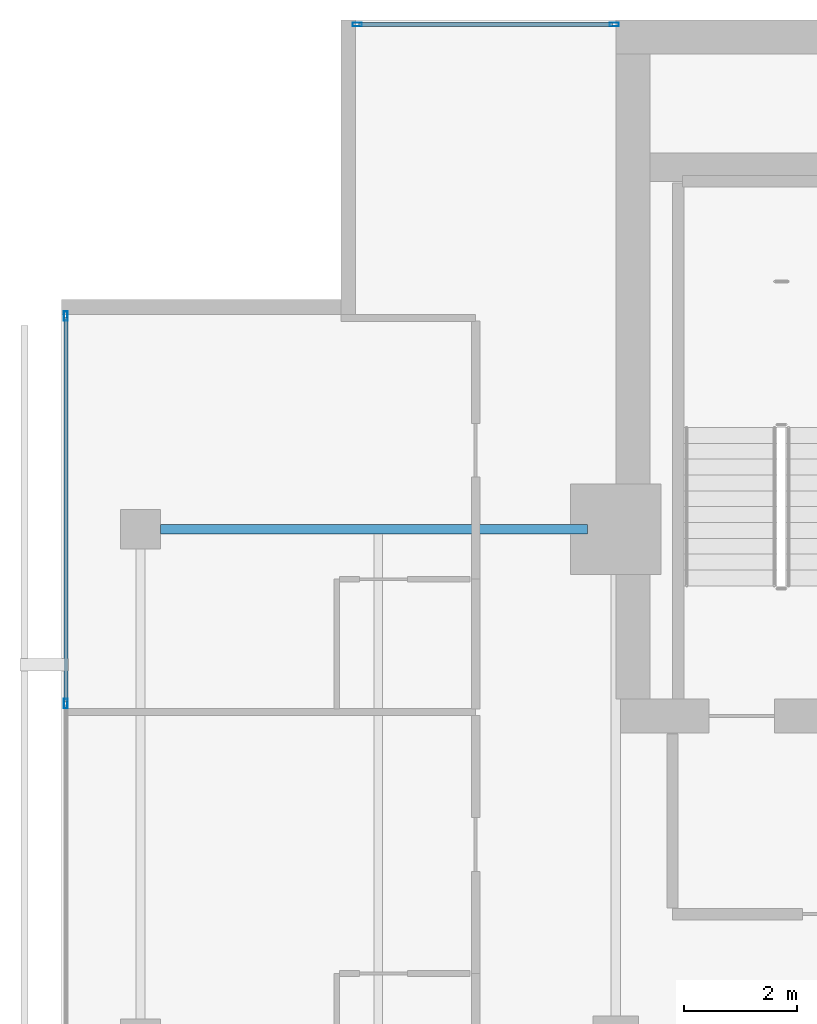
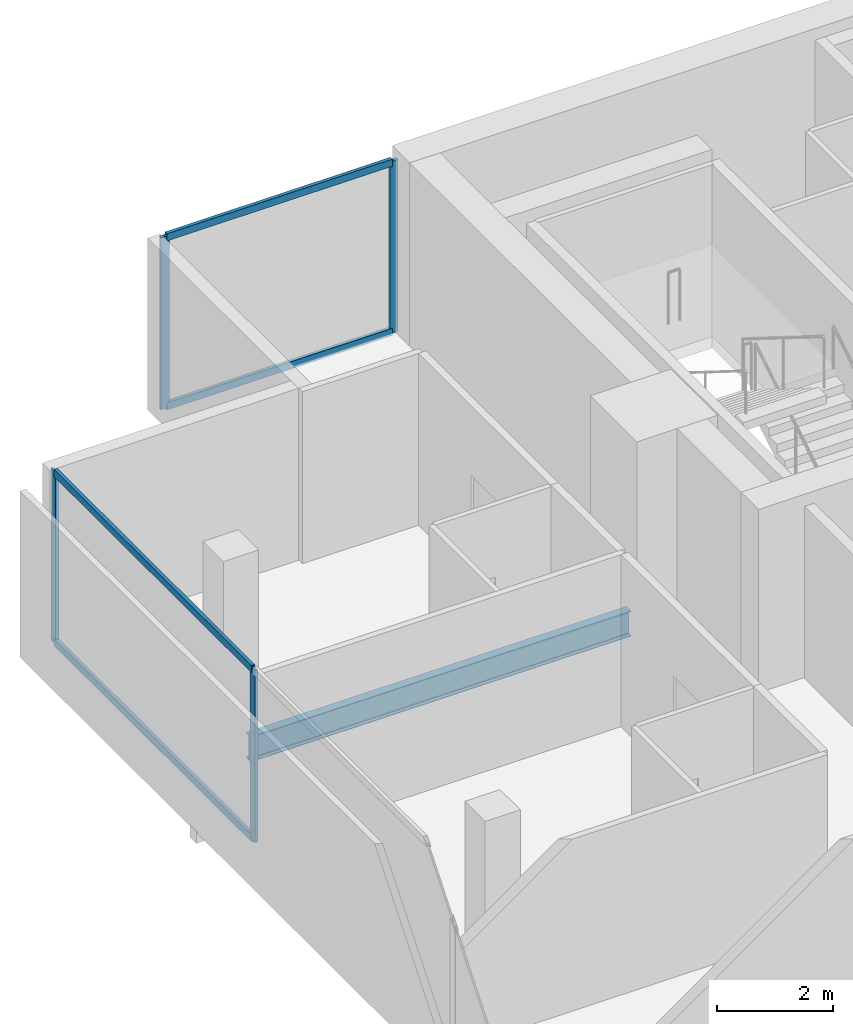
# One storey, part 16 of 26: 8 members, 1 beam, 2 elements without a shape of their own.
"""IFC4 building model written with IfcOpenShell, lengths in metres."""

import ifcopenshell
import ifcopenshell.guid

model = None  # the IFC model being written
_history = None  # IfcOwnerHistory: only IFC2X3 demands one
_inside = {}  # id of a spatial element -> (the spatial element, [elements in it])
_under = {}  # id of a project, library or spatial element -> (it, [spatial elements below it])
_declared = {}  # id of a project -> (the project, [libraries it declares])
_typed = {}  # id of a type object -> (the type object, [elements of that type])
_made_of = {}  # id of a material, layer set ... -> (it, [elements and type objects made of it])


def new_model(schema):
    """Start an empty IFC model of exactly this schema.

    Asked for "IFC4X3", IfcOpenShell would pick the latest addendum, in which some entities
    have other attributes; the version numbers below select the first issue.
    IFC2X3 requires an IfcOwnerHistory on every rooted entity: one is made here for all.
    """
    global model, _history
    if schema == "IFC4X3":
        model = ifcopenshell.file(schema_version=(4, 3, 0, 0))
    else:
        model = ifcopenshell.file(schema=schema)
    _inside.clear()
    _under.clear()
    _declared.clear()
    _typed.clear()
    _made_of.clear()
    _history = None
    if model.schema == "IFC2X3":
        org = make("IfcOrganization", Name="unknown")
        user = make(
            "IfcPersonAndOrganization",
            ThePerson=make("IfcPerson", FamilyName="unknown"),
            TheOrganization=org,
        )
        app = make(
            "IfcApplication",
            ApplicationDeveloper=org,
            Version="unknown",
            ApplicationFullName="unknown",
            ApplicationIdentifier="unknown",
        )
        _history = make(
            "IfcOwnerHistory",
            OwningUser=user,
            OwningApplication=app,
            ChangeAction="ADDED",
            CreationDate=0,
        )
    return model


def make(cls, **values):
    """One entity of the class cls with the attributes given. An attribute that is None is left unset."""
    return model.create_entity(
        cls, **{name: value for name, value in values.items() if value is not None}
    )


def rooted(cls, **values):
    """An entity with a GlobalId (a new one), such as an element, a storey or a relation."""
    return make(cls, GlobalId=ifcopenshell.guid.new(), OwnerHistory=_history, **values)


def si_unit(unit_type, name, prefix=None):
    """IfcSIUnit, for example si_unit("LENGTHUNIT", "METRE", prefix="MILLI")."""
    return make("IfcSIUnit", UnitType=unit_type, Prefix=prefix, Name=name)


def assignment(units):
    """IfcUnitAssignment: the units of a project."""
    return None if units is None else make("IfcUnitAssignment", Units=units)


def point(xyz):
    """IfcCartesianPoint."""
    return None if xyz is None else make("IfcCartesianPoint", Coordinates=xyz)


def direction(xyz):
    """IfcDirection."""
    return None if xyz is None else make("IfcDirection", DirectionRatios=xyz)


def frame(location, z_axis=None, x_axis=None):
    """IfcAxis2Placement3D, a coordinate frame: its origin and axes. An axis left out is left unset."""
    return make(
        "IfcAxis2Placement3D",
        Location=point(location),
        Axis=direction(z_axis),
        RefDirection=direction(x_axis),
    )


def frame_2d(location, x_axis=None):
    """IfcAxis2Placement2D, a coordinate frame in the plane: its origin and x axis."""
    return make(
        "IfcAxis2Placement2D", Location=point(location), RefDirection=direction(x_axis)
    )


def origin():
    """The frame at (0, 0, 0) with its axes left unset."""
    return frame((0.0, 0.0, 0.0))


def origin_2d():
    """The frame at (0, 0) in the plane with its x axis left unset."""
    return frame_2d((0.0, 0.0))


def place(relative_to, where):
    """IfcLocalPlacement: puts the frame where relative to a parent placement (None: the world)."""
    return make(
        "IfcLocalPlacement", PlacementRelTo=relative_to, RelativePlacement=where
    )


def context(
    kind, dimensions, precision=None, world=None, true_north=None, identifier=None
):
    """IfcGeometricRepresentationContext, for example the 3D "Model" context."""
    return make(
        "IfcGeometricRepresentationContext",
        ContextIdentifier=identifier,
        ContextType=kind,
        CoordinateSpaceDimension=dimensions,
        Precision=precision,
        WorldCoordinateSystem=world,
        TrueNorth=true_north,
    )


def subcontext(parent, identifier, kind, view, scale=None):
    """IfcGeometricRepresentationSubContext, for example "Body" below "Model"."""
    return make(
        "IfcGeometricRepresentationSubContext",
        ContextIdentifier=identifier,
        ContextType=kind,
        ParentContext=parent,
        TargetScale=scale,
        TargetView=view,
    )


def project(units=None, contexts=None):
    """IfcProject with its units and contexts."""
    return rooted(
        "IfcProject",
        Name="project",
        RepresentationContexts=contexts,
        UnitsInContext=assignment(units),
    )


def spatial(cls, under=None, at=None, **own):
    """A site, building, storey or space (cls), placed at a placement, below another one or the project."""
    s = rooted(cls, ObjectPlacement=at, **own)
    if under is not None:
        _under.setdefault(under.id(), (under, []))[1].append(s)
    return s


def profile(cls, at=None, kind="AREA", **sizes):
    """A parametric profile (cls). Its sizes go by their IFC names, for example OverallWidth=200.0."""
    return make(cls, ProfileType=kind, Position=at, **sizes)


def hollow_rectangle(**sizes):
    """IfcRectangleHollowProfileDef."""
    return profile("IfcRectangleHollowProfileDef", **sizes)


def i_section(**sizes):
    """IfcIShapeProfileDef."""
    return profile("IfcIShapeProfileDef", **sizes)


def extrude(swept, where, along, depth):
    """IfcExtrudedAreaSolid: the profile swept, set in the frame where, extruded along a direction by depth."""
    return make(
        "IfcExtrudedAreaSolid",
        SweptArea=swept,
        Position=where,
        ExtrudedDirection=direction(along),
        Depth=depth,
    )


def shape(context_of_items, identifier, shape_type, items):
    """IfcShapeRepresentation: the items that make up one representation, for example the "Body"."""
    return make(
        "IfcShapeRepresentation",
        ContextOfItems=context_of_items,
        RepresentationIdentifier=identifier,
        RepresentationType=shape_type,
        Items=items,
    )


def material(Name=None, Category=None):
    """IfcMaterial."""
    return make("IfcMaterial", Name=Name, Category=Category)


def layer(
    of_material, thickness, ventilated=None, Name=None, Category=None, Priority=None
):
    """IfcMaterialLayer: one layer of a wall or slab, of a material (None: an air gap)."""
    return make(
        "IfcMaterialLayer",
        Material=of_material,
        LayerThickness=thickness,
        IsVentilated=ventilated,
        Name=Name,
        Category=Category,
        Priority=Priority,
    )


def layer_set(layers, Name=None):
    """IfcMaterialLayerSet."""
    return make("IfcMaterialLayerSet", MaterialLayers=layers, LayerSetName=Name)


def material_profile(
    of_material, cross_section, Name=None, Category=None, Priority=None
):
    """IfcMaterialProfile: a cross section and its material."""
    return make(
        "IfcMaterialProfile",
        Name=Name,
        Material=of_material,
        Profile=cross_section,
        Priority=Priority,
        Category=Category,
    )


def profile_set(profiles, Name=None, composite=None):
    """IfcMaterialProfileSet."""
    return make(
        "IfcMaterialProfileSet",
        Name=Name,
        MaterialProfiles=profiles,
        CompositeProfile=composite,
    )


def made_of(thing, what):
    """Note that an element or type object is made of a material, layer set ...; save() writes the relation."""
    if what is not None:
        _made_of.setdefault(what.id(), (what, []))[1].append(thing)
    return thing


def type_object(cls, material=None, **own):
    """A type object (cls), such as IfcWallType, which elements share."""
    return made_of(rooted(cls, **own), material)


def element(
    cls,
    number,
    at=None,
    inside=None,
    cuts=None,
    type_object=None,
    material=None,
    context=None,
    identifier="Body",
    shape_type=None,
    held_by="IfcProductDefinitionShape",
    body=None,
    shapes=None,
    **own,
):
    """One element of the class cls, such as IfcWall. Its Tag is "e" and its number.

    at: its placement. inside: the storey or other place that contains it. cuts: it is an
    opening in that element (IfcRelVoidsElement). A single representation is given by context,
    identifier, shape_type and body (its items); several are given by shapes. held_by: the class
    of the entity that holds the representations. save() writes the other relations.
    """
    e = rooted(cls, Tag="e%d" % number, ObjectPlacement=at, **own)
    if body is not None:
        shapes = [shape(context, identifier, shape_type, body)]
    if shapes is not None:
        e.Representation = make(held_by, Representations=shapes)
    if inside is not None:
        _inside.setdefault(inside.id(), (inside, []))[1].append(e)
    if cuts is not None:
        rooted(
            "IfcRelVoidsElement", RelatingBuildingElement=cuts, RelatedOpeningElement=e
        )
    if type_object is not None:
        _typed.setdefault(type_object.id(), (type_object, []))[1].append(e)
    return made_of(e, material)


def aggregate(whole, parts):
    """IfcRelAggregates: a whole, such as a stair, and the parts it consists of."""
    return rooted("IfcRelAggregates", RelatingObject=whole, RelatedObjects=parts)


def save(model, path):
    """Write the relations noted so far, then the file.

    IfcRelAggregates (storeys below a building ...), IfcRelContainedInSpatialStructure (elements
    in a storey), IfcRelDefinesByType, IfcRelAssociatesMaterial and IfcRelDeclares: one each for
    every whole, place, type object, material and project.
    """
    for whole, parts in _under.values():
        aggregate(whole, parts)
    for where, things in _inside.values():
        rooted(
            "IfcRelContainedInSpatialStructure",
            RelatedElements=things,
            RelatingStructure=where,
        )
    for kind, things in _typed.values():
        rooted("IfcRelDefinesByType", RelatedObjects=things, RelatingType=kind)
    for what, things in _made_of.values():
        rooted("IfcRelAssociatesMaterial", RelatedObjects=things, RelatingMaterial=what)
    for by, libraries in _declared.values():
        rooted("IfcRelDeclares", RelatingContext=by, RelatedDefinitions=libraries)
    model.write(path)


model = new_model("IFC4")

# Units and contexts
model_context = context("Model", 3, precision=1e-05, world=origin(), true_north=direction((0.0, 1.0)))
body_context = subcontext(model_context, "Body", "Model", "MODEL_VIEW")
ifc_project = project(units=[si_unit("LENGTHUNIT", "METRE"), si_unit("AREAUNIT", "SQUARE_METRE"), si_unit("VOLUMEUNIT", "CUBIC_METRE"), si_unit("PLANEANGLEUNIT", "RADIAN"), si_unit("MASSUNIT", "GRAM", prefix="KILO")], contexts=[model_context])

# Site, building, storey
site_placement = place(None, origin())
site = spatial("IfcSite", under=ifc_project, at=site_placement, CompositionType="ELEMENT")
building_placement = place(site_placement, origin())
building = spatial("IfcBuilding", under=site, at=building_placement, Name="Maruvema Waterfront Hotel and Observation Tower", CompositionType="ELEMENT")
storey_placement = place(building_placement, frame((0.0, 0.0, 301.0)))
storey = spatial("IfcBuildingStorey", under=building, at=storey_placement, Name="L74", CompositionType="ELEMENT", Elevation=301.0)

# Curtain wall, members
ifc_material_1 = material(Name="Anodised bronze aluminium and solar-control low-E IGU", Category="aluminium")
ifc_layer = layer(ifc_material_1, 0.159912109375, Name="Zone 3 Champagne Inner Thermal Curtain Wall System CW-04")
ifc_layer_set = layer_set([ifc_layer], Name="Anodised bronze aluminium and solar-control low-E IGU")
curtain_wall_type = type_object("IfcCurtainWallType", Name="Zone 3 Champagne Inner Thermal Curtain Wall System CW-04", PredefinedType="USERDEFINED", material=ifc_layer_set)
curtain_wall_1_placement = place(storey_placement, origin())
curtain_wall_1 = element("IfcCurtainWall", 1, at=curtain_wall_1_placement, inside=storey, type_object=curtain_wall_type, Name="L74 Curtain Wall CW-L74-W", ObjectType="UNITISED CURTAIN WALL", PredefinedType="USERDEFINED")
ifc_material_2 = material(Name="Anodised architectural bronze aluminium", Category="aluminium")
ifc_material_profile_1 = material_profile(ifc_material_2, hollow_rectangle(XDim=0.070068359375, YDim=0.14990234375, WallThickness=0.00390625, at=origin_2d()), Name="ALU-T70x150")
ifc_profile_set_1 = profile_set([ifc_material_profile_1], Name="Anodised architectural bronze aluminium")
member_type_1 = type_object("IfcMemberType", Name="Curtain Wall Horizontal Transom ALU-T70x150", PredefinedType="USERDEFINED", material=ifc_profile_set_1)
member_1_placement = place(storey_placement, frame((15.47998046875, 48.739990234375, 0.030029296875), z_axis=(0.0, -1.0, 0.0), x_axis=(1.0, 0.0, 0.0)))
member_1 = element("IfcMember", 2, at=member_1_placement, type_object=member_type_1, Name="CW-04 transom 1.1", ObjectType="TRANSOM", PredefinedType="USERDEFINED", context=body_context, shape_type="SweptSolid", body=[
    extrude(hollow_rectangle(XDim=0.070068359375, YDim=0.14990234375, WallThickness=0.00390625, at=origin_2d()), origin(), (0.0, 0.0, 1.0), 6.7900390625),
])
member_2_placement = place(storey_placement, frame((15.47998046875, 48.739990234375, 3.580078125), z_axis=(0.0, -1.0, 0.0), x_axis=(1.0, 0.0, 0.0)))
member_2 = element("IfcMember", 3, at=member_2_placement, type_object=member_type_1, Name="CW-04 transom 1.2", ObjectType="TRANSOM", PredefinedType="USERDEFINED", context=body_context, shape_type="SweptSolid", body=[
    extrude(hollow_rectangle(XDim=0.070068359375, YDim=0.14990234375, WallThickness=0.00390625, at=origin_2d()), origin(), (0.0, 0.0, 1.0), 6.7900390625),
])

curtain_wall_2_placement = place(storey_placement, origin())
curtain_wall_2 = element("IfcCurtainWall", 4, at=curtain_wall_2_placement, inside=storey, type_object=curtain_wall_type, Name="L74 Curtain Wall CW-L74-NW", ObjectType="UNITISED CURTAIN WALL", PredefinedType="USERDEFINED")
member_3_placement = place(storey_placement, frame((25.139892578125, 53.919921875, 0.030029296875), z_axis=(-1.0, 0.0, 0.0), x_axis=(0.0, -1.0, 0.0)))
member_3 = element("IfcMember", 5, at=member_3_placement, type_object=member_type_1, Name="CW-04 transom 1.1", ObjectType="TRANSOM", PredefinedType="USERDEFINED", context=body_context, shape_type="SweptSolid", body=[
    extrude(hollow_rectangle(XDim=0.070068359375, YDim=0.14990234375, WallThickness=0.00390625, at=origin_2d()), origin(), (0.0, 0.0, 1.0), 4.47998046875),
])
member_4_placement = place(storey_placement, frame((25.139892578125, 53.919921875, 3.580078125), z_axis=(-1.0, 0.0, 0.0), x_axis=(0.0, -1.0, 0.0)))
member_4 = element("IfcMember", 6, at=member_4_placement, type_object=member_type_1, Name="CW-04 transom 1.2", ObjectType="TRANSOM", PredefinedType="USERDEFINED", context=body_context, shape_type="SweptSolid", body=[
    extrude(hollow_rectangle(XDim=0.070068359375, YDim=0.14990234375, WallThickness=0.00390625, at=origin_2d()), origin(), (0.0, 0.0, 1.0), 4.47998046875),
])

# Member
ifc_material_3 = material(Name="Anodised architectural bronze aluminium", Category="aluminium")
ifc_material_profile_2 = material_profile(ifc_material_3, hollow_rectangle(XDim=0.06494140625, YDim=0.1650390625, WallThickness=0.00390625, at=origin_2d()), Name="ALU-M65x165")
ifc_profile_set_2 = profile_set([ifc_material_profile_2], Name="Anodised architectural bronze aluminium")
member_type_2 = type_object("IfcMemberType", Name="Curtain Wall Primary Mullion ALU-M65x165", PredefinedType="MULLION", material=ifc_profile_set_2)
member_5_placement = place(storey_placement, frame((15.47998046875, 48.77001953125, 0.0), z_axis=(0.0, 0.0, 1.0), x_axis=(1.0, 0.0, 0.0)))
member_5 = element("IfcMember", 7, at=member_5_placement, type_object=member_type_2, Name="CW-04 mullion 1", PredefinedType="MULLION", context=body_context, shape_type="SweptSolid", body=[
    extrude(hollow_rectangle(XDim=0.06494140625, YDim=0.1650390625, WallThickness=0.00390625, at=origin_2d()), origin(), (0.0, 0.0, 1.0), 3.610107421875),
])

member_6_placement = place(storey_placement, frame((15.47998046875, 41.919921875, 0.0), z_axis=(0.0, 0.0, 1.0), x_axis=(1.0, 0.0, 0.0)))
member_6 = element("IfcMember", 8, at=member_6_placement, type_object=member_type_2, Name="CW-04 mullion 2", PredefinedType="MULLION", context=body_context, shape_type="SweptSolid", body=[
    extrude(hollow_rectangle(XDim=0.06494140625, YDim=0.1650390625, WallThickness=0.00390625, at=origin_2d()), origin(), (0.0, 0.0, 1.0), 3.610107421875),
])

aggregate(curtain_wall_1, [member_5, member_6, member_1, member_2])

member_7_placement = place(storey_placement, frame((25.169921875, 53.919921875, 0.0), z_axis=(0.0, 0.0, 1.0), x_axis=(0.0, -1.0, 0.0)))
member_7 = element("IfcMember", 9, at=member_7_placement, type_object=member_type_2, Name="CW-04 mullion 1", PredefinedType="MULLION", context=body_context, shape_type="SweptSolid", body=[
    extrude(hollow_rectangle(XDim=0.06494140625, YDim=0.1650390625, WallThickness=0.00390625, at=origin_2d()), origin(), (0.0, 0.0, 1.0), 3.610107421875),
])

member_8_placement = place(storey_placement, frame((20.6298828125, 53.919921875, 0.0), z_axis=(0.0, 0.0, 1.0), x_axis=(0.0, -1.0, 0.0)))
member_8 = element("IfcMember", 10, at=member_8_placement, type_object=member_type_2, Name="CW-04 mullion 2", PredefinedType="MULLION", context=body_context, shape_type="SweptSolid", body=[
    extrude(hollow_rectangle(XDim=0.06494140625, YDim=0.1650390625, WallThickness=0.00390625, at=origin_2d()), origin(), (0.0, 0.0, 1.0), 3.610107421875),
])

aggregate(curtain_wall_2, [member_7, member_8, member_3, member_4])

# Beam
ifc_material_4 = material(Name="Steel ASTM A572 Grade 50", Category="steel")
ifc_material_profile_3 = material_profile(ifc_material_4, i_section(OverallWidth=0.166015625, OverallDepth=0.529052734375, WebThickness=0.009765625, FlangeThickness=0.013671875, FilletRadius=0.014892578125, at=origin_2d()), Name="W530x74.0")
ifc_profile_set_3 = profile_set([ifc_material_profile_3], Name="Steel ASTM A572 Grade 50")
beam_type = type_object("IfcBeamType", Name="Primary Floor Girder W530x74.0", PredefinedType="BEAM", material=ifc_profile_set_3)
beam_placement = place(storey_placement, frame((17.14990234375, 45.0, -0.50439453125), z_axis=(1.0, 0.0, 0.0), x_axis=(0.0, 1.0, 0.0)))
element("IfcBeam", 11, at=beam_placement, inside=storey, type_object=beam_type, Name="L74 Floor Girder EW-17", PredefinedType="BEAM", context=body_context, shape_type="SweptSolid", body=[
    extrude(i_section(OverallWidth=0.166015625, OverallDepth=0.529052734375, WebThickness=0.009765625, FlangeThickness=0.013671875, FilletRadius=0.014892578125, at=origin_2d()), origin(), (0.0, 0.0, 1.0), 7.550048828125),
])

save(model, "model.ifc")
